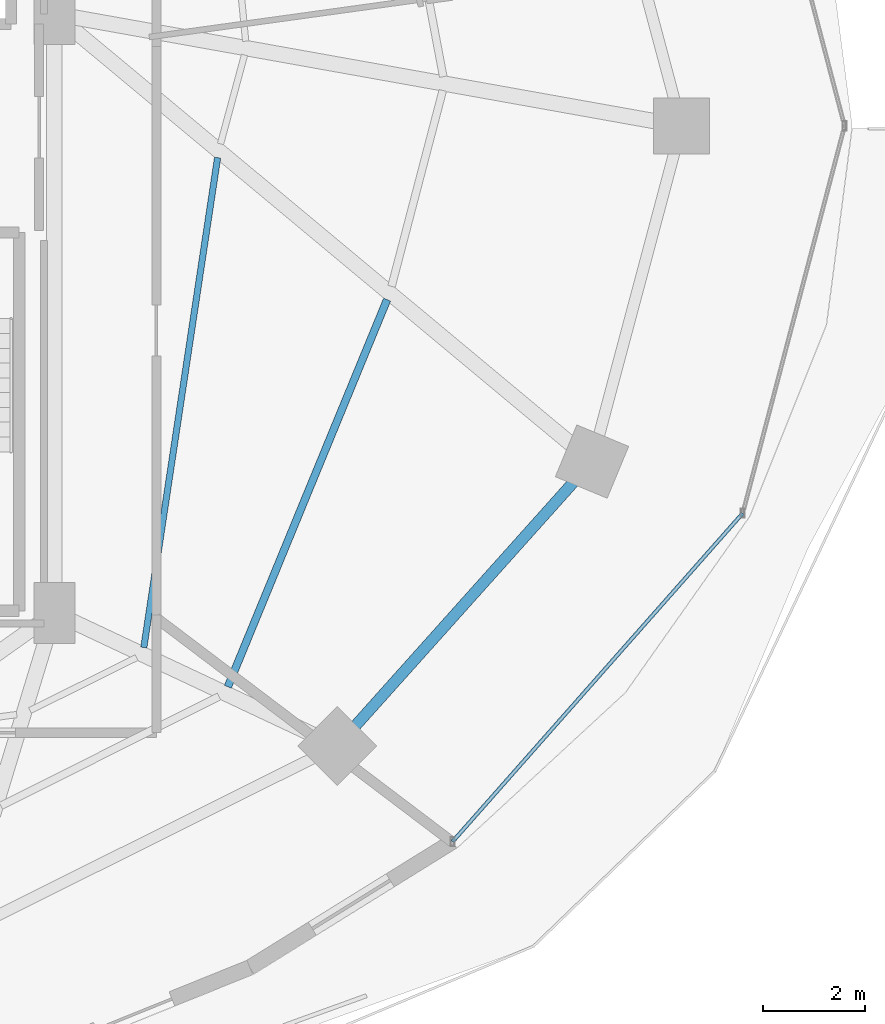
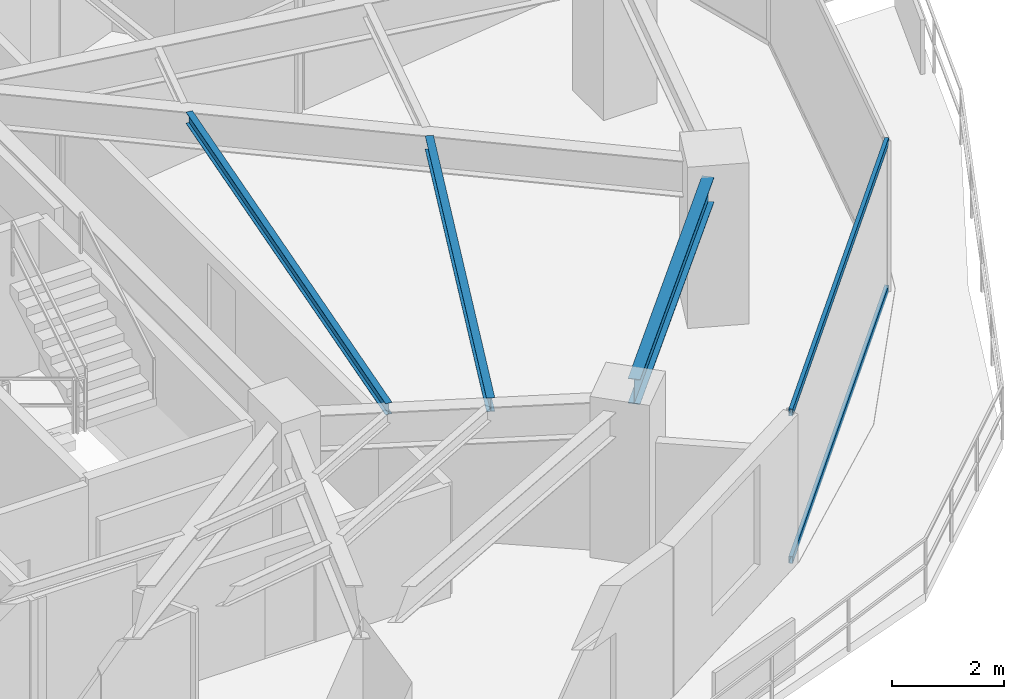
# One storey, part 12 of 30: 3 beams, 2 members, 1 element without a shape of its own.
"""IFC4 building model written with IfcOpenShell, lengths in metres."""

from ifc_helpers import new_model, si_unit, direction, frame, origin, origin_2d, place, context, subcontext, project, spatial, hollow_rectangle, i_section, extrude, material, material_profile, profile_set, type_object, element, aggregate, save


model = new_model("IFC4")

# Units and contexts
model_context = context("Model", 3, precision=1e-05, world=origin(), true_north=direction((0.0, 1.0)))
body_context = subcontext(model_context, "Body", "Model", "MODEL_VIEW")
ifc_project = project(units=[si_unit("LENGTHUNIT", "METRE"), si_unit("AREAUNIT", "SQUARE_METRE"), si_unit("VOLUMEUNIT", "CUBIC_METRE"), si_unit("PLANEANGLEUNIT", "RADIAN"), si_unit("MASSUNIT", "GRAM", prefix="KILO")], contexts=[model_context])

# Site, building, storey
site_placement = place(None, origin())
site = spatial("IfcSite", under=ifc_project, at=site_placement, CompositionType="ELEMENT")
building_placement = place(site_placement, origin())
building = spatial("IfcBuilding", under=site, at=building_placement, Name="Vorneva Point Tower", CompositionType="ELEMENT")
storey_placement = place(building_placement, frame((0.0, 0.0, 92.800048828125)))
storey = spatial("IfcBuildingStorey", under=building, at=storey_placement, Name="L24", CompositionType="ELEMENT", Elevation=92.800048828125)

# Beams
ifc_material_1 = material(Name="Steel S355", Category="steel")
ifc_material_profile_1 = material_profile(ifc_material_1, i_section(OverallWidth=0.1240234375, OverallDepth=0.248046875, WebThickness=0.0048828125, FlangeThickness=0.008056640625, at=origin_2d()), Name="25B1")
ifc_profile_set_1 = profile_set([ifc_material_profile_1], Name="Steel S355")
beam_type_1 = type_object("IfcBeamType", Name="BM-JST-25B1", PredefinedType="JOIST", material=ifc_profile_set_1)
beam_1_placement = place(storey_placement, frame((50.50439453125, 15.770263671875, 3.115966796875), z_axis=(0.148950979938, 0.988844581102, 0.0), x_axis=(-0.988844581102, 0.148950979938, 0.0)))
element("IfcBeam", 1, at=beam_1_placement, inside=storey, type_object=beam_type_1, Name="L24 Secondary Floor Beam 2.15", PredefinedType="JOIST", context=body_context, shape_type="SweptSolid", body=[
    extrude(i_section(OverallWidth=0.1240234375, OverallDepth=0.248046875, WebThickness=0.0048828125, FlangeThickness=0.008056640625, at=origin_2d()), origin(), (0.0, 0.0, 1.0), 9.718017578125),
])
ifc_material_profile_2 = material_profile(ifc_material_1, i_section(OverallWidth=0.14892578125, OverallDepth=0.298095703125, WebThickness=0.005615234375, FlangeThickness=0.008056640625, at=origin_2d()), Name="30B1")
ifc_profile_set_2 = profile_set([ifc_material_profile_2], Name="Steel S355")
beam_type_2 = type_object("IfcBeamType", Name="BM-JST-30B1", PredefinedType="JOIST", material=ifc_profile_set_2)
beam_2_placement = place(storey_placement, frame((52.15283203125, 15.00048828125, 3.091064453125), z_axis=(0.380401314352, 0.924821517937, 0.0), x_axis=(-0.924821517937, 0.380401314352, 0.0)))
element("IfcBeam", 2, at=beam_2_placement, inside=storey, type_object=beam_type_2, Name="L24 Secondary Floor Beam 1.15", PredefinedType="JOIST", context=body_context, shape_type="SweptSolid", body=[
    extrude(i_section(OverallWidth=0.14892578125, OverallDepth=0.298095703125, WebThickness=0.005615234375, FlangeThickness=0.008056640625, at=origin_2d()), origin(), (0.0, 0.0, 1.0), 8.21044921875),
])
ifc_material_profile_3 = material_profile(ifc_material_1, i_section(OverallWidth=0.219970703125, OverallDepth=0.54296875, WebThickness=0.009521484375, FlangeThickness=0.013427734375, at=origin_2d()), Name="55B1")
ifc_profile_set_3 = profile_set([ifc_material_profile_3], Name="Steel S355")
beam_type_3 = type_object("IfcBeamType", Name="BM-SPN-55B1", PredefinedType="SPANDREL", material=ifc_profile_set_3)
beam_3_placement = place(storey_placement, frame((54.65576171875, 14.236328125, 2.968505859375), z_axis=(0.667073815664, 0.744991627105, 0.0), x_axis=(-0.744991627105, 0.667073815664, 0.0)))
element("IfcBeam", 3, at=beam_3_placement, inside=storey, type_object=beam_type_3, Name="L24 Perimeter Spandrel Ring Beam 15", PredefinedType="SPANDREL", context=body_context, shape_type="SweptSolid", body=[
    extrude(i_section(OverallWidth=0.219970703125, OverallDepth=0.54296875, WebThickness=0.009521484375, FlangeThickness=0.013427734375, at=origin_2d()), origin(), (0.0, 0.0, 1.0), 6.420166015625),
])

# Curtain wall, members
ifc_material_2 = material(Name="Pale anodised aluminium", Category="aluminium")
curtain_wall_type = type_object("IfcCurtainWallType", Name="CW-HTL-SYS", PredefinedType="NOTDEFINED", material=ifc_material_2)
curtain_wall_placement = place(storey_placement, origin())
curtain_wall = element("IfcCurtainWall", 4, at=curtain_wall_placement, inside=storey, type_object=curtain_wall_type, Name="L24 Unitised Curtain Wall CW-L24-R01", PredefinedType="NOTDEFINED")
ifc_material_profile_4 = material_profile(ifc_material_2, hollow_rectangle(XDim=0.074951171875, YDim=0.14990234375, WallThickness=0.00390625, at=origin_2d()), Name="AL-TRN 150x75x4")
ifc_profile_set_4 = profile_set([ifc_material_profile_4], Name="Pale anodised aluminium")
member_type = type_object("IfcMemberType", Name="CW-TRN-150", PredefinedType="USERDEFINED", material=ifc_profile_set_4)
member_1_placement = place(storey_placement, frame((56.5615234375, 11.9638671875, 0.02001953125), z_axis=(0.662137326257, 0.74938251993, 0.0), x_axis=(-0.74938251993, 0.662137326257, 0.0)))
member_1 = element("IfcMember", 5, at=member_1_placement, type_object=member_type, Name="CW-L24-R01 Transom 01.1", ObjectType="TRANSOM", PredefinedType="USERDEFINED", context=body_context, shape_type="SweptSolid", body=[
    extrude(hollow_rectangle(XDim=0.074951171875, YDim=0.14990234375, WallThickness=0.00390625, at=origin_2d()), origin(), (0.0, 0.0, 1.0), 8.59375),
])
member_2_placement = place(storey_placement, frame((56.5615234375, 11.9638671875, 3.219970703125), z_axis=(0.662137326257, 0.74938251993, 0.0), x_axis=(-0.74938251993, 0.662137326257, 0.0)))
member_2 = element("IfcMember", 6, at=member_2_placement, type_object=member_type, Name="CW-L24-R01 Transom 01.2", ObjectType="TRANSOM", PredefinedType="USERDEFINED", context=body_context, shape_type="SweptSolid", body=[
    extrude(hollow_rectangle(XDim=0.074951171875, YDim=0.14990234375, WallThickness=0.00390625, at=origin_2d()), origin(), (0.0, 0.0, 1.0), 8.59375),
])
aggregate(curtain_wall, [member_1, member_2])

save(model, "model.ifc")
